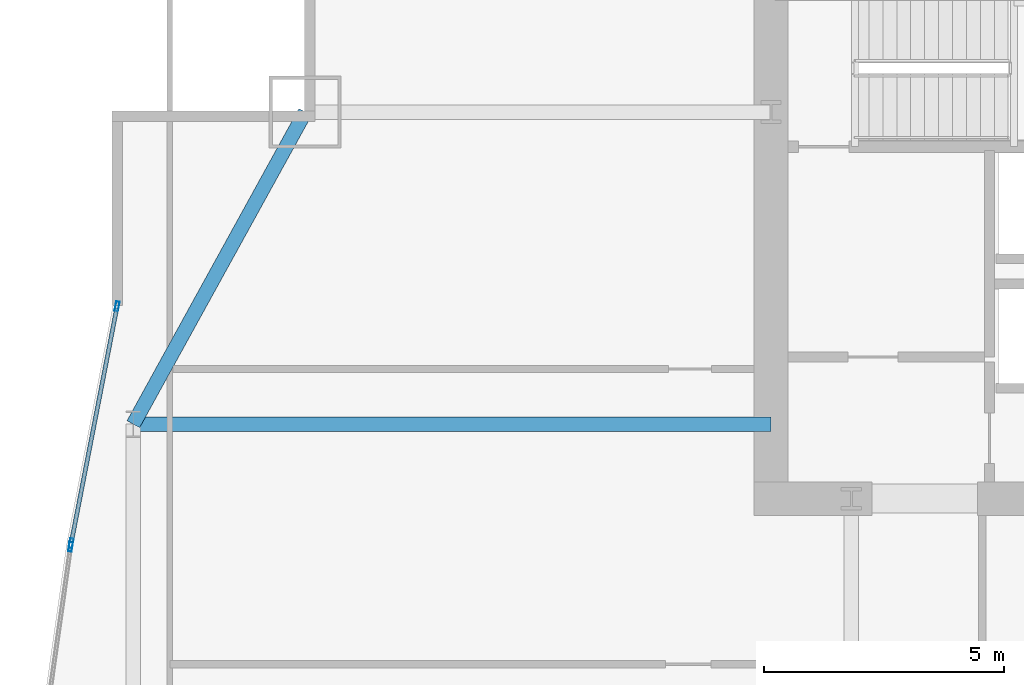
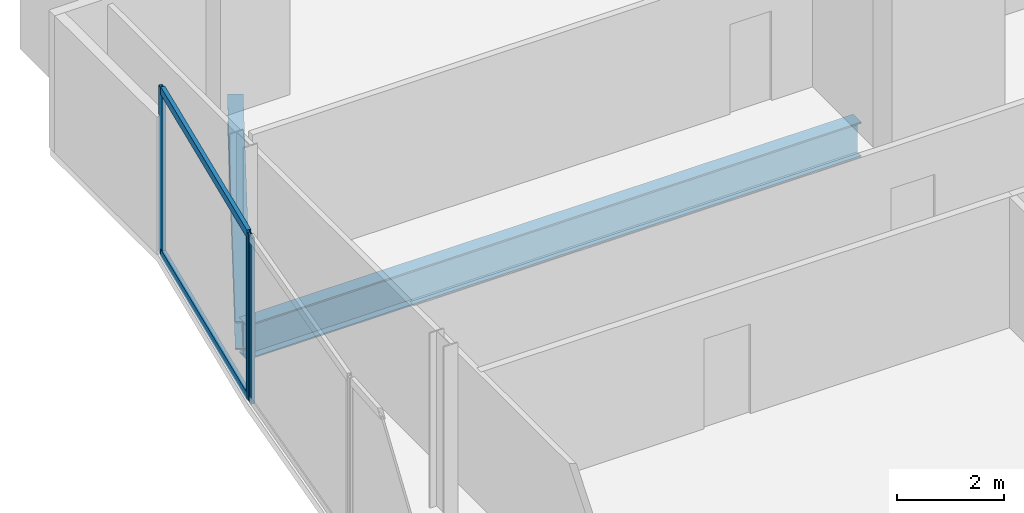
# One storey, part 17 of 34: 5 members, 2 beams, 2 elements without a shape of their own.
"""IFC4 building model written with IfcOpenShell, lengths in metres."""

from ifc_helpers import new_model, si_unit, direction, frame, origin, origin_2d, place, context, subcontext, project, spatial, hollow_rectangle, i_section, extrude, material, material_profile, profile_set, type_object, element, aggregate, save


model = new_model("IFC4")

# Units and contexts
model_context = context("Model", 3, precision=1e-05, world=origin(), true_north=direction((0.0, 1.0)))
body_context = subcontext(model_context, "Body", "Model", "MODEL_VIEW")
ifc_project = project(units=[si_unit("LENGTHUNIT", "METRE"), si_unit("AREAUNIT", "SQUARE_METRE"), si_unit("VOLUMEUNIT", "CUBIC_METRE"), si_unit("PLANEANGLEUNIT", "RADIAN"), si_unit("MASSUNIT", "GRAM", prefix="KILO")], contexts=[model_context])

# Site, building, storey
site_placement = place(None, origin())
site = spatial("IfcSite", under=ifc_project, at=site_placement, CompositionType="ELEMENT")
building_placement = place(site_placement, origin())
building = spatial("IfcBuilding", under=site, at=building_placement, Name="Khoronbel Lancet Exchange", CompositionType="ELEMENT")
storey_placement = place(building_placement, frame((0.0, 0.0, 102.60009765625)))
storey = spatial("IfcBuildingStorey", under=building, at=storey_placement, Name="L24", CompositionType="ELEMENT", Elevation=102.60009765625)

# Beams
ifc_material_1 = material(Name="Steel S355", Category="steel")
ifc_material_profile_1 = material_profile(ifc_material_1, i_section(OverallWidth=0.300048828125, OverallDepth=0.800048828125, WebThickness=0.017578125, FlangeThickness=0.032958984375, at=origin_2d()), Name="HEB 800")
ifc_profile_set_1 = profile_set([ifc_material_profile_1], Name="Steel S355")
beam_type_1 = type_object("IfcBeamType", Name="BM-BG2", PredefinedType="BEAM", material=ifc_profile_set_1)
beam_1_placement = place(storey_placement, frame((3.27001953125, 43.199951171875, -0.580078125), z_axis=(1.0, 0.0, 0.0), x_axis=(0.0, 1.0, 0.0)))
element("IfcBeam", 1, at=beam_1_placement, inside=storey, type_object=beam_type_1, Name="Level L24 west lens tie girder LG3W", PredefinedType="BEAM", context=body_context, shape_type="SweptSolid", body=[
    extrude(i_section(OverallWidth=0.300048828125, OverallDepth=0.800048828125, WebThickness=0.017578125, FlangeThickness=0.032958984375, at=origin_2d()), origin(), (0.0, 0.0, 1.0), 13.280029296875),
])
ifc_material_profile_2 = material_profile(ifc_material_1, i_section(OverallWidth=0.300048828125, OverallDepth=0.64990234375, WebThickness=0.01611328125, FlangeThickness=0.031005859375, at=origin_2d()), Name="HEB 650")
ifc_profile_set_2 = profile_set([ifc_material_profile_2], Name="Steel S355")
beam_type_2 = type_object("IfcBeamType", Name="BM-BSP1", PredefinedType="SPANDREL", material=ifc_profile_set_2)
beam_2_placement = place(storey_placement, frame((6.85009765625, 49.699951171875, -0.505126953125), z_axis=(-0.482444051088, -0.875926787791, 0.0), x_axis=(0.875926787791, -0.482444051088, 0.0)))
element("IfcBeam", 2, at=beam_2_placement, inside=storey, type_object=beam_type_2, Name="Level L24 perimeter spandrel beam SP16", PredefinedType="SPANDREL", context=body_context, shape_type="SweptSolid", body=[
    extrude(i_section(OverallWidth=0.300048828125, OverallDepth=0.64990234375, WebThickness=0.01611328125, FlangeThickness=0.031005859375, at=origin_2d()), origin(), (0.0, 0.0, 1.0), 7.420654296875),
])

# Curtain wall, member
ifc_material_2 = material(Name="Low-E Solar Control Insulating Glass", Category="glass")
curtain_wall_type = type_object("IfcCurtainWallType", Name="CW-4", PredefinedType="NOTDEFINED", material=ifc_material_2)
curtain_wall_1_placement = place(storey_placement, origin())
curtain_wall_1 = element("IfcCurtainWall", 3, at=curtain_wall_1_placement, inside=storey, type_object=curtain_wall_type, Name="Unitised curtain wall CW-L24-E08", PredefinedType="NOTDEFINED")
ifc_material_3 = material(Name="Bronze-Anodised Aluminium 6063-T6", Category="aluminium")
ifc_material_profile_3 = material_profile(ifc_material_3, hollow_rectangle(XDim=0.074951171875, YDim=0.199951171875, WallThickness=0.0048828125, at=origin_2d()), Name="ALU MULLION 75x200")
ifc_profile_set_3 = profile_set([ifc_material_profile_3], Name="Bronze-Anodised Aluminium 6063-T6")
member_type_1 = type_object("IfcMemberType", Name="MEM-CWM2", PredefinedType="MULLION", material=ifc_profile_set_3)
member_1_placement = place(storey_placement, frame((1.963623046875, 40.64794921875, 0.0), z_axis=(0.0, 0.0, 1.0), x_axis=(-0.990065733609, 0.1406052742, 0.0)))
member_1 = element("IfcMember", 4, at=member_1_placement, type_object=member_type_1, Name="CW4 mullion 2", PredefinedType="MULLION", context=body_context, shape_type="SweptSolid", body=[
    extrude(hollow_rectangle(XDim=0.074951171875, YDim=0.199951171875, WallThickness=0.0048828125, at=origin_2d()), origin(), (0.0, 0.0, 1.0), 3.7998046875),
])
aggregate(curtain_wall_1, [member_1])

# Curtain wall, members
curtain_wall_2_placement = place(storey_placement, origin())
curtain_wall_2 = element("IfcCurtainWall", 5, at=curtain_wall_2_placement, inside=storey, type_object=curtain_wall_type, Name="Unitised curtain wall CW-L24-E09", PredefinedType="NOTDEFINED")
member_2_placement = place(storey_placement, frame((1.97607421875, 40.721923828125, 0.0), z_axis=(0.0, 0.0, 1.0), x_axis=(-0.981701526761, 0.190426133595, 0.0)))
member_2 = element("IfcMember", 6, at=member_2_placement, type_object=member_type_1, Name="CW4 mullion 1", PredefinedType="MULLION", context=body_context, shape_type="SweptSolid", body=[
    extrude(hollow_rectangle(XDim=0.074951171875, YDim=0.199951171875, WallThickness=0.0048828125, at=origin_2d()), origin(), (0.0, 0.0, 1.0), 3.7998046875),
])
member_3_placement = place(storey_placement, frame((2.932861328125, 45.654541015625, 0.0), z_axis=(0.0, 0.0, 1.0), x_axis=(-0.981701526761, 0.190426133595, 0.0)))
member_3 = element("IfcMember", 7, at=member_3_placement, type_object=member_type_1, Name="CW4 mullion 2", PredefinedType="MULLION", context=body_context, shape_type="SweptSolid", body=[
    extrude(hollow_rectangle(XDim=0.074951171875, YDim=0.199951171875, WallThickness=0.0048828125, at=origin_2d()), origin(), (0.0, 0.0, 1.0), 3.7998046875),
])
ifc_material_profile_4 = material_profile(ifc_material_3, hollow_rectangle(XDim=0.0849609375, YDim=0.179931640625, WallThickness=0.0048828125, at=origin_2d()), Name="ALU TRANSOM 85x180")
ifc_profile_set_4 = profile_set([ifc_material_profile_4], Name="Bronze-Anodised Aluminium 6063-T6")
member_type_2 = type_object("IfcMemberType", Name="MEM-CWT1", PredefinedType="USERDEFINED", material=ifc_profile_set_4)
member_4_placement = place(storey_placement, frame((1.983154296875, 40.7587890625, 0.04248046875), z_axis=(0.190449797548, 0.981696936235, 0.0), x_axis=(-0.981696936235, 0.190449797548, 0.0)))
member_4 = element("IfcMember", 8, at=member_4_placement, type_object=member_type_2, Name="CW4 transom 1.1", ObjectType="TRANSOM", PredefinedType="USERDEFINED", context=body_context, shape_type="SweptSolid", body=[
    extrude(hollow_rectangle(XDim=0.0849609375, YDim=0.179931640625, WallThickness=0.0048828125, at=origin_2d()), origin(), (0.0, 0.0, 1.0), 4.949462890625),
])
member_5_placement = place(storey_placement, frame((1.983154296875, 40.7587890625, 3.75732421875), z_axis=(0.190449797548, 0.981696936235, 0.0), x_axis=(-0.981696936235, 0.190449797548, 0.0)))
member_5 = element("IfcMember", 9, at=member_5_placement, type_object=member_type_2, Name="CW4 transom 1.2", ObjectType="TRANSOM", PredefinedType="USERDEFINED", context=body_context, shape_type="SweptSolid", body=[
    extrude(hollow_rectangle(XDim=0.0849609375, YDim=0.179931640625, WallThickness=0.0048828125, at=origin_2d()), origin(), (0.0, 0.0, 1.0), 4.949462890625),
])
aggregate(curtain_wall_2, [member_2, member_3, member_4, member_5])

save(model, "model.ifc")
